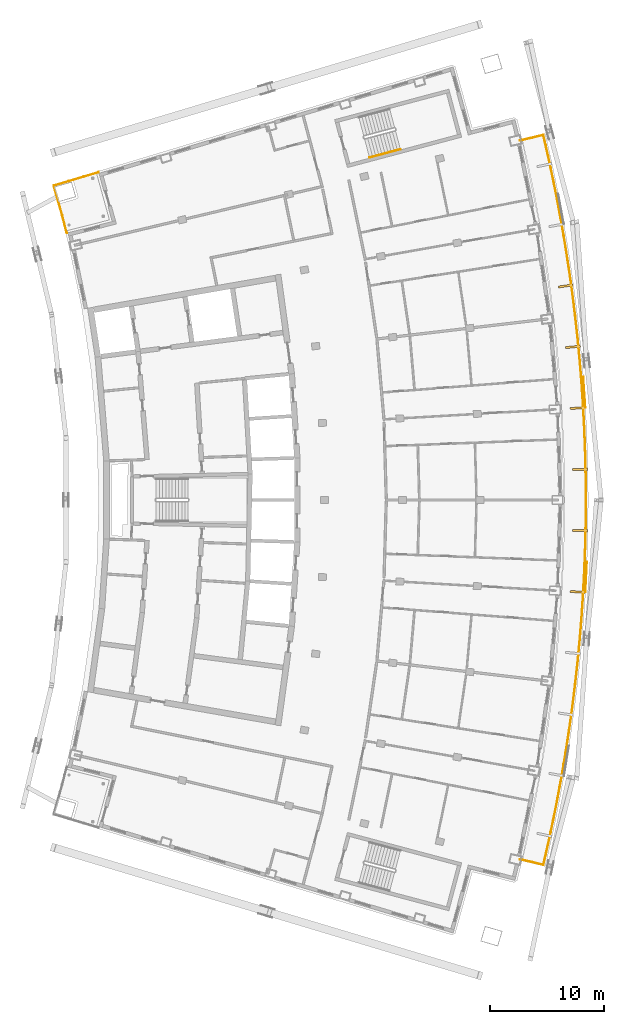
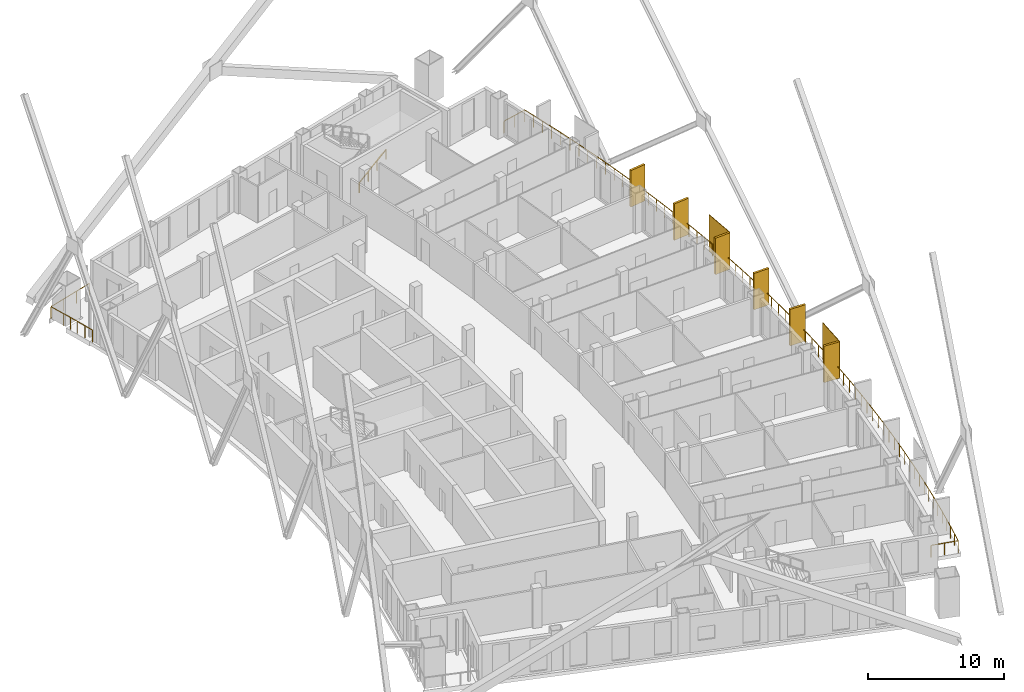
# One storey, part 20 of 21: 8 shading devices, 3 railings.
"""IFC4 building model written with IfcOpenShell, lengths in metres."""

from ifc_helpers import new_model, si_unit, direction, frame, origin, origin_2d, place, context, subcontext, project, spatial, rectangle, extrude, material, layer, layer_set, type_object, element, save


model = new_model("IFC4")

# Units and contexts
model_context = context("Model", 3, precision=1e-05, world=origin(), true_north=direction((0.0, 1.0)))
body_context = subcontext(model_context, "Body", "Model", "MODEL_VIEW")
ifc_project = project(units=[si_unit("LENGTHUNIT", "METRE"), si_unit("AREAUNIT", "SQUARE_METRE"), si_unit("VOLUMEUNIT", "CUBIC_METRE"), si_unit("PLANEANGLEUNIT", "RADIAN"), si_unit("MASSUNIT", "GRAM", prefix="KILO")], contexts=[model_context])

# Site, building, storey
site_placement = place(None, origin())
site = spatial("IfcSite", under=ifc_project, at=site_placement, CompositionType="ELEMENT")
building_placement = place(site_placement, origin())
building = spatial("IfcBuilding", under=site, at=building_placement, Name="Alderwake Tower", CompositionType="ELEMENT")
storey_placement = place(building_placement, frame((0.0, 0.0, 267.199951171875)))
storey = spatial("IfcBuildingStorey", under=building, at=storey_placement, Name="L66", CompositionType="ELEMENT", Elevation=267.199951171875)

# Railings
ifc_material_1 = material(Name="Stainless steel 316 rail and posts", Category="steel")
railing_type_1 = type_object("IfcRailingType", Name="Balcony guard 1100", PredefinedType="GUARDRAIL", material=ifc_material_1)
railing_1_placement = place(storey_placement, frame((52.9208984375, 29.510986328125, 0.0)))
element("IfcRailing", 1, at=railing_1_placement, inside=storey, type_object=railing_type_1, Name="Guard BF03", PredefinedType="GUARDRAIL", context=body_context, shape_type="SweptSolid", body=[
    extrude(rectangle(XDim=0.048095703125, YDim=0.048095703125, at=origin_2d()), frame((0.0, 0.0, 1.076171875), z_axis=(0.973069996158, -0.230509831846, 0.0), x_axis=(0.230509831846, 0.973069996158, 0.0)), (0.0, 0.0, 1.0), 2.100341796875),
    extrude(rectangle(XDim=0.048095703125, YDim=0.048095703125, at=origin_2d()), frame((2.043701171875, -0.484130859375, 1.076171875), z_axis=(0.223728003456, 0.974651620052, 0.0), x_axis=(-0.974651620052, 0.223728003456, 0.0)), (0.0, 0.0, 1.0), 1.9228515625),
    extrude(rectangle(XDim=0.048095703125, YDim=0.048095703125, at=origin_2d()), frame((2.473876953125, 1.389892578125, 1.076171875), z_axis=(0.209792875229, 0.977745851182, 0.0), x_axis=(-0.977745851182, 0.209792875229, 0.0)), (0.0, 0.0, 1.0), 2.0224609375),
    extrude(rectangle(XDim=0.048095703125, YDim=0.048095703125, at=origin_2d()), frame((2.898193359375, 3.367431640625, 1.076171875), z_axis=(0.195651889061, 0.980673410625, 0.0), x_axis=(-0.980673410625, 0.195651889061, 0.0)), (0.0, 0.0, 1.0), 2.022705078125),
    extrude(rectangle(XDim=0.048095703125, YDim=0.048095703125, at=origin_2d()), frame((3.2939453125, 5.35107421875, 1.076171875), z_axis=(0.181285306719, 0.983430545371, 0.0), x_axis=(-0.983430545371, 0.181285306719, 0.0)), (0.0, 0.0, 1.0), 2.022705078125),
    extrude(rectangle(XDim=0.048095703125, YDim=0.048095703125, at=origin_2d()), frame((3.66064453125, 7.34033203125, 1.076171875), z_axis=(0.166943156218, 0.985966522044, 0.0), x_axis=(-0.985966522044, 0.166943156218, 0.0)), (0.0, 0.0, 1.0), 2.0224609375),
    extrude(rectangle(XDim=0.048095703125, YDim=0.048095703125, at=origin_2d()), frame((3.998291015625, 9.33447265625, 1.076171875), z_axis=(0.152565081877, 0.988293425958, 0.0), x_axis=(-0.988293425958, 0.152565081877, 0.0)), (0.0, 0.0, 1.0), 2.022705078125),
    extrude(rectangle(XDim=0.048095703125, YDim=0.048095703125, at=origin_2d()), frame((4.306884765625, 11.33349609375, 1.076171875), z_axis=(0.138074887842, 0.990421791636, 0.0), x_axis=(-0.990421791636, 0.138074887842, 0.0)), (0.0, 0.0, 1.0), 2.022705078125),
    extrude(rectangle(XDim=0.048095703125, YDim=0.048095703125, at=origin_2d()), frame((4.586181640625, 13.3369140625, 1.076171875), z_axis=(0.123603892024, 0.992331637043, 0.0), x_axis=(-0.992331637043, 0.123603892024, 0.0)), (0.0, 0.0, 1.0), 2.022705078125),
    extrude(rectangle(XDim=0.048095703125, YDim=0.048095703125, at=origin_2d()), frame((4.836181640625, 15.343994140625, 1.076171875), z_axis=(0.109119836799, 0.99402860181, 0.0), x_axis=(-0.99402860181, 0.109119836799, 0.0)), (0.0, 0.0, 1.0), 2.0224609375),
    extrude(rectangle(XDim=0.048095703125, YDim=0.048095703125, at=origin_2d()), frame((5.056884765625, 17.3544921875, 1.076171875), z_axis=(0.094746438959, 0.995501437621, 0.0), x_axis=(-0.995501437621, 0.094746438959, 0.0)), (0.0, 0.0, 1.0), 2.022705078125),
    extrude(rectangle(XDim=0.048095703125, YDim=0.048095703125, at=origin_2d()), frame((5.24853515625, 19.3681640625, 1.076171875), z_axis=(0.080018646594, 0.996793366851, 0.0), x_axis=(-0.996793366851, 0.080018646594, 0.0)), (0.0, 0.0, 1.0), 2.02294921875),
    extrude(rectangle(XDim=0.048095703125, YDim=0.048095703125, at=origin_2d()), frame((5.410400390625, 21.384521484375, 1.076171875), z_axis=(0.065661789431, 0.997841936084, 0.0), x_axis=(-0.997841936084, 0.065661789431, 0.0)), (0.0, 0.0, 1.0), 2.022705078125),
    extrude(rectangle(XDim=0.048095703125, YDim=0.048095703125, at=origin_2d()), frame((5.543212890625, 23.40283203125, 1.076171875), z_axis=(0.051057323107, 0.998695724311, 0.0), x_axis=(-0.998695724311, 0.051057323107, 0.0)), (0.0, 0.0, 1.0), 2.022705078125),
    extrude(rectangle(XDim=0.048095703125, YDim=0.048095703125, at=origin_2d()), frame((5.646484375, 25.4228515625, 1.076171875), z_axis=(0.036453590384, 0.999335346992, 0.0), x_axis=(-0.999335346992, 0.036453590384, 0.0)), (0.0, 0.0, 1.0), 2.022705078125),
    extrude(rectangle(XDim=0.048095703125, YDim=0.048095703125, at=origin_2d()), frame((5.72021484375, 27.444091796875, 1.076171875), z_axis=(0.0218467706, 0.999761330826, 0.0), x_axis=(-0.999761330826, 0.0218467706, 0.0)), (0.0, 0.0, 1.0), 2.022705078125),
    extrude(rectangle(XDim=0.048095703125, YDim=0.048095703125, at=origin_2d()), frame((5.764404296875, 29.46630859375, 1.076171875), z_axis=(0.007241813719, 0.999973777723, 0.0), x_axis=(-0.999973777723, 0.007241813719, 0.0)), (0.0, 0.0, 1.0), 2.022705078125),
    extrude(rectangle(XDim=0.048095703125, YDim=0.048095703125, at=origin_2d()), frame((5.779052734375, 31.489013671875, 1.076171875), z_axis=(-0.007241813719, 0.999973777723, 0.0), x_axis=(-0.999973777723, -0.007241813719, 0.0)), (0.0, 0.0, 1.0), 2.022705078125),
    extrude(rectangle(XDim=0.048095703125, YDim=0.048095703125, at=origin_2d()), frame((5.764404296875, 33.51171875, 1.076171875), z_axis=(-0.0218467706, 0.999761330826, 0.0), x_axis=(-0.999761330826, -0.0218467706, 0.0)), (0.0, 0.0, 1.0), 2.022705078125),
    extrude(rectangle(XDim=0.048095703125, YDim=0.048095703125, at=origin_2d()), frame((5.72021484375, 35.533935546875, 1.076171875), z_axis=(-0.036453590384, 0.999335346992, 0.0), x_axis=(-0.999335346992, -0.036453590384, 0.0)), (0.0, 0.0, 1.0), 2.022705078125),
    extrude(rectangle(XDim=0.048095703125, YDim=0.048095703125, at=origin_2d()), frame((5.646484375, 37.55517578125, 1.076171875), z_axis=(-0.051057323107, 0.998695724311, 0.0), x_axis=(-0.998695724311, -0.051057323107, 0.0)), (0.0, 0.0, 1.0), 2.022705078125),
    extrude(rectangle(XDim=0.048095703125, YDim=0.048095703125, at=origin_2d()), frame((5.543212890625, 39.5751953125, 1.076171875), z_axis=(-0.065661789431, 0.997841936084, 0.0), x_axis=(-0.997841936084, -0.065661789431, 0.0)), (0.0, 0.0, 1.0), 2.022705078125),
    extrude(rectangle(XDim=0.048095703125, YDim=0.048095703125, at=origin_2d()), frame((5.410400390625, 41.593505859375, 1.076171875), z_axis=(-0.080018646594, 0.996793366851, 0.0), x_axis=(-0.996793366851, -0.080018646594, 0.0)), (0.0, 0.0, 1.0), 2.02294921875),
    extrude(rectangle(XDim=0.048095703125, YDim=0.048095703125, at=origin_2d()), frame((5.24853515625, 43.60986328125, 1.076171875), z_axis=(-0.094746438959, 0.995501437621, 0.0), x_axis=(-0.995501437621, -0.094746438959, 0.0)), (0.0, 0.0, 1.0), 2.022705078125),
    extrude(rectangle(XDim=0.048095703125, YDim=0.048095703125, at=origin_2d()), frame((5.056884765625, 45.62353515625, 1.076171875), z_axis=(-0.109119836799, 0.99402860181, 0.0), x_axis=(-0.99402860181, -0.109119836799, 0.0)), (0.0, 0.0, 1.0), 2.0224609375),
    extrude(rectangle(XDim=0.048095703125, YDim=0.048095703125, at=origin_2d()), frame((4.836181640625, 47.634033203125, 1.076171875), z_axis=(-0.123603892024, 0.992331637043, 0.0), x_axis=(-0.992331637043, -0.123603892024, 0.0)), (0.0, 0.0, 1.0), 2.022705078125),
    extrude(rectangle(XDim=0.048095703125, YDim=0.048095703125, at=origin_2d()), frame((4.586181640625, 49.64111328125, 1.076171875), z_axis=(-0.138074887842, 0.990421791636, 0.0), x_axis=(-0.990421791636, -0.138074887842, 0.0)), (0.0, 0.0, 1.0), 2.022705078125),
    extrude(rectangle(XDim=0.048095703125, YDim=0.048095703125, at=origin_2d()), frame((4.306884765625, 51.64453125, 1.076171875), z_axis=(-0.152565081877, 0.988293425958, 0.0), x_axis=(-0.988293425958, -0.152565081877, 0.0)), (0.0, 0.0, 1.0), 2.022705078125),
    extrude(rectangle(XDim=0.048095703125, YDim=0.048095703125, at=origin_2d()), frame((3.998291015625, 53.6435546875, 1.076171875), z_axis=(-0.166943156218, 0.985966522044, 0.0), x_axis=(-0.985966522044, -0.166943156218, 0.0)), (0.0, 0.0, 1.0), 2.0224609375),
    extrude(rectangle(XDim=0.048095703125, YDim=0.048095703125, at=origin_2d()), frame((3.66064453125, 55.6376953125, 1.076171875), z_axis=(-0.181285306719, 0.983430545371, 0.0), x_axis=(-0.983430545371, -0.181285306719, 0.0)), (0.0, 0.0, 1.0), 2.022705078125),
    extrude(rectangle(XDim=0.048095703125, YDim=0.048095703125, at=origin_2d()), frame((3.2939453125, 57.626953125, 1.076171875), z_axis=(-0.195651889061, 0.980673410625, 0.0), x_axis=(-0.980673410625, -0.195651889061, 0.0)), (0.0, 0.0, 1.0), 2.022705078125),
    extrude(rectangle(XDim=0.048095703125, YDim=0.048095703125, at=origin_2d()), frame((2.898193359375, 59.610595703125, 1.076171875), z_axis=(-0.209792875229, 0.977745851182, 0.0), x_axis=(-0.977745851182, -0.209792875229, 0.0)), (0.0, 0.0, 1.0), 2.0224609375),
    extrude(rectangle(XDim=0.048095703125, YDim=0.048095703125, at=origin_2d()), frame((2.473876953125, 61.588134765625, 1.076171875), z_axis=(-0.223728003456, 0.974651620052, 0.0), x_axis=(-0.974651620052, -0.223728003456, 0.0)), (0.0, 0.0, 1.0), 1.9228515625),
    extrude(rectangle(XDim=0.048095703125, YDim=0.048095703125, at=origin_2d()), frame((2.043701171875, 63.462158203125, 1.076171875), z_axis=(-0.973069996158, -0.230509831846, 0.0), x_axis=(0.230509831846, -0.973069996158, 0.0)), (0.0, 0.0, 1.0), 2.100341796875),
    extrude(rectangle(XDim=0.0419921875, YDim=0.0419921875, at=origin_2d()), frame((0.0, 0.0, 0.0), z_axis=(0.0, 0.0, 1.0), x_axis=(0.973069996158, -0.230509831846, 0.0)), (0.0, 0.0, 1.0), 1.052001953125),
    extrude(rectangle(XDim=0.0419921875, YDim=0.0419921875, at=origin_2d()), frame((1.02197265625, -0.2421875, 0.0), z_axis=(0.0, 0.0, 1.0), x_axis=(0.973069996158, -0.230509831846, 0.0)), (0.0, 0.0, 1.0), 1.052001953125),
    extrude(rectangle(XDim=0.0419921875, YDim=0.0419921875, at=origin_2d()), frame((2.043701171875, -0.484130859375, 0.0), z_axis=(0.0, 0.0, 1.0), x_axis=(0.223728003456, 0.974651620052, 0.0)), (0.0, 0.0, 1.0), 1.052001953125),
    extrude(rectangle(XDim=0.0419921875, YDim=0.0419921875, at=origin_2d()), frame((2.2587890625, 0.452880859375, 0.0), z_axis=(0.0, 0.0, 1.0), x_axis=(0.223728003456, 0.974651620052, 0.0)), (0.0, 0.0, 1.0), 1.052001953125),
    extrude(rectangle(XDim=0.0419921875, YDim=0.0419921875, at=origin_2d()), frame((2.473876953125, 1.389892578125, 0.0), z_axis=(0.0, 0.0, 1.0), x_axis=(0.209792875229, 0.977745851182, 0.0)), (0.0, 0.0, 1.0), 1.052001953125),
    extrude(rectangle(XDim=0.0419921875, YDim=0.0419921875, at=origin_2d()), frame((2.68603515625, 2.378662109375, 0.0), z_axis=(0.0, 0.0, 1.0), x_axis=(0.209792875229, 0.977745851182, 0.0)), (0.0, 0.0, 1.0), 1.052001953125),
    extrude(rectangle(XDim=0.0419921875, YDim=0.0419921875, at=origin_2d()), frame((2.898193359375, 3.367431640625, 0.0), z_axis=(0.0, 0.0, 1.0), x_axis=(0.195651889061, 0.980673410625, 0.0)), (0.0, 0.0, 1.0), 1.052001953125),
    extrude(rectangle(XDim=0.0419921875, YDim=0.0419921875, at=origin_2d()), frame((3.09619140625, 4.359375, 0.0), z_axis=(0.0, 0.0, 1.0), x_axis=(0.195651889061, 0.980673410625, 0.0)), (0.0, 0.0, 1.0), 1.052001953125),
    extrude(rectangle(XDim=0.0419921875, YDim=0.0419921875, at=origin_2d()), frame((3.2939453125, 5.35107421875, 0.0), z_axis=(0.0, 0.0, 1.0), x_axis=(0.181285306719, 0.983430545371, 0.0)), (0.0, 0.0, 1.0), 1.052001953125),
    extrude(rectangle(XDim=0.0419921875, YDim=0.0419921875, at=origin_2d()), frame((3.477294921875, 6.345703125, 0.0), z_axis=(0.0, 0.0, 1.0), x_axis=(0.181285306719, 0.983430545371, 0.0)), (0.0, 0.0, 1.0), 1.052001953125),
    extrude(rectangle(XDim=0.0419921875, YDim=0.0419921875, at=origin_2d()), frame((3.66064453125, 7.34033203125, 0.0), z_axis=(0.0, 0.0, 1.0), x_axis=(0.166943156218, 0.985966522044, 0.0)), (0.0, 0.0, 1.0), 1.052001953125),
    extrude(rectangle(XDim=0.0419921875, YDim=0.0419921875, at=origin_2d()), frame((3.82958984375, 8.33740234375, 0.0), z_axis=(0.0, 0.0, 1.0), x_axis=(0.166943156218, 0.985966522044, 0.0)), (0.0, 0.0, 1.0), 1.052001953125),
    extrude(rectangle(XDim=0.0419921875, YDim=0.0419921875, at=origin_2d()), frame((3.998291015625, 9.33447265625, 0.0), z_axis=(0.0, 0.0, 1.0), x_axis=(0.152565081877, 0.988293425958, 0.0)), (0.0, 0.0, 1.0), 1.052001953125),
    extrude(rectangle(XDim=0.0419921875, YDim=0.0419921875, at=origin_2d()), frame((4.152587890625, 10.333984375, 0.0), z_axis=(0.0, 0.0, 1.0), x_axis=(0.152565081877, 0.988293425958, 0.0)), (0.0, 0.0, 1.0), 1.052001953125),
    extrude(rectangle(XDim=0.0419921875, YDim=0.0419921875, at=origin_2d()), frame((4.306884765625, 11.33349609375, 0.0), z_axis=(0.0, 0.0, 1.0), x_axis=(0.138074887842, 0.990421791636, 0.0)), (0.0, 0.0, 1.0), 1.052001953125),
    extrude(rectangle(XDim=0.0419921875, YDim=0.0419921875, at=origin_2d()), frame((4.446533203125, 12.335205078125, 0.0), z_axis=(0.0, 0.0, 1.0), x_axis=(0.138074887842, 0.990421791636, 0.0)), (0.0, 0.0, 1.0), 1.052001953125),
    extrude(rectangle(XDim=0.0419921875, YDim=0.0419921875, at=origin_2d()), frame((4.586181640625, 13.3369140625, 0.0), z_axis=(0.0, 0.0, 1.0), x_axis=(0.123603892024, 0.992331637043, 0.0)), (0.0, 0.0, 1.0), 1.052001953125),
    extrude(rectangle(XDim=0.0419921875, YDim=0.0419921875, at=origin_2d()), frame((4.711181640625, 14.34033203125, 0.0), z_axis=(0.0, 0.0, 1.0), x_axis=(0.123603892024, 0.992331637043, 0.0)), (0.0, 0.0, 1.0), 1.052001953125),
    extrude(rectangle(XDim=0.0419921875, YDim=0.0419921875, at=origin_2d()), frame((4.836181640625, 15.343994140625, 0.0), z_axis=(0.0, 0.0, 1.0), x_axis=(0.109119836799, 0.99402860181, 0.0)), (0.0, 0.0, 1.0), 1.052001953125),
    extrude(rectangle(XDim=0.0419921875, YDim=0.0419921875, at=origin_2d()), frame((4.946533203125, 16.34912109375, 0.0), z_axis=(0.0, 0.0, 1.0), x_axis=(0.109119836799, 0.99402860181, 0.0)), (0.0, 0.0, 1.0), 1.052001953125),
    extrude(rectangle(XDim=0.0419921875, YDim=0.0419921875, at=origin_2d()), frame((5.056884765625, 17.3544921875, 0.0), z_axis=(0.0, 0.0, 1.0), x_axis=(0.094746438959, 0.995501437621, 0.0)), (0.0, 0.0, 1.0), 1.052001953125),
    extrude(rectangle(XDim=0.0419921875, YDim=0.0419921875, at=origin_2d()), frame((5.15283203125, 18.361328125, 0.0), z_axis=(0.0, 0.0, 1.0), x_axis=(0.094746438959, 0.995501437621, 0.0)), (0.0, 0.0, 1.0), 1.052001953125),
    extrude(rectangle(XDim=0.0419921875, YDim=0.0419921875, at=origin_2d()), frame((5.24853515625, 19.3681640625, 0.0), z_axis=(0.0, 0.0, 1.0), x_axis=(0.080018646594, 0.996793366851, 0.0)), (0.0, 0.0, 1.0), 1.052001953125),
    extrude(rectangle(XDim=0.0419921875, YDim=0.0419921875, at=origin_2d()), frame((5.32958984375, 20.37646484375, 0.0), z_axis=(0.0, 0.0, 1.0), x_axis=(0.080018646594, 0.996793366851, 0.0)), (0.0, 0.0, 1.0), 1.052001953125),
    extrude(rectangle(XDim=0.0419921875, YDim=0.0419921875, at=origin_2d()), frame((5.410400390625, 21.384521484375, 0.0), z_axis=(0.0, 0.0, 1.0), x_axis=(0.065661789431, 0.997841936084, 0.0)), (0.0, 0.0, 1.0), 1.052001953125),
    extrude(rectangle(XDim=0.0419921875, YDim=0.0419921875, at=origin_2d()), frame((5.476806640625, 22.3935546875, 0.0), z_axis=(0.0, 0.0, 1.0), x_axis=(0.065661789431, 0.997841936084, 0.0)), (0.0, 0.0, 1.0), 1.052001953125),
    extrude(rectangle(XDim=0.0419921875, YDim=0.0419921875, at=origin_2d()), frame((5.543212890625, 23.40283203125, 0.0), z_axis=(0.0, 0.0, 1.0), x_axis=(0.051057323107, 0.998695724311, 0.0)), (0.0, 0.0, 1.0), 1.052001953125),
    extrude(rectangle(XDim=0.0419921875, YDim=0.0419921875, at=origin_2d()), frame((5.5947265625, 24.412841796875, 0.0), z_axis=(0.0, 0.0, 1.0), x_axis=(0.051057323107, 0.998695724311, 0.0)), (0.0, 0.0, 1.0), 1.052001953125),
    extrude(rectangle(XDim=0.0419921875, YDim=0.0419921875, at=origin_2d()), frame((5.646484375, 25.4228515625, 0.0), z_axis=(0.0, 0.0, 1.0), x_axis=(0.036453590384, 0.999335346992, 0.0)), (0.0, 0.0, 1.0), 1.052001953125),
    extrude(rectangle(XDim=0.0419921875, YDim=0.0419921875, at=origin_2d()), frame((5.683349609375, 26.43359375, 0.0), z_axis=(0.0, 0.0, 1.0), x_axis=(0.036453590384, 0.999335346992, 0.0)), (0.0, 0.0, 1.0), 1.052001953125),
    extrude(rectangle(XDim=0.0419921875, YDim=0.0419921875, at=origin_2d()), frame((5.72021484375, 27.444091796875, 0.0), z_axis=(0.0, 0.0, 1.0), x_axis=(0.0218467706, 0.999761330826, 0.0)), (0.0, 0.0, 1.0), 1.052001953125),
    extrude(rectangle(XDim=0.0419921875, YDim=0.0419921875, at=origin_2d()), frame((5.7421875, 28.455078125, 0.0), z_axis=(0.0, 0.0, 1.0), x_axis=(0.0218467706, 0.999761330826, 0.0)), (0.0, 0.0, 1.0), 1.052001953125),
    extrude(rectangle(XDim=0.0419921875, YDim=0.0419921875, at=origin_2d()), frame((5.764404296875, 29.46630859375, 0.0), z_axis=(0.0, 0.0, 1.0), x_axis=(0.007241813719, 0.999973777723, 0.0)), (0.0, 0.0, 1.0), 1.052001953125),
    extrude(rectangle(XDim=0.0419921875, YDim=0.0419921875, at=origin_2d()), frame((5.771728515625, 30.4775390625, 0.0), z_axis=(0.0, 0.0, 1.0), x_axis=(0.007241813719, 0.999973777723, 0.0)), (0.0, 0.0, 1.0), 1.052001953125),
    extrude(rectangle(XDim=0.0419921875, YDim=0.0419921875, at=origin_2d()), frame((5.779052734375, 31.489013671875, 0.0), z_axis=(0.0, 0.0, 1.0), x_axis=(-0.007241813719, 0.999973777723, 0.0)), (0.0, 0.0, 1.0), 1.052001953125),
    extrude(rectangle(XDim=0.0419921875, YDim=0.0419921875, at=origin_2d()), frame((5.771728515625, 32.50048828125, 0.0), z_axis=(0.0, 0.0, 1.0), x_axis=(-0.007241813719, 0.999973777723, 0.0)), (0.0, 0.0, 1.0), 1.052001953125),
    extrude(rectangle(XDim=0.0419921875, YDim=0.0419921875, at=origin_2d()), frame((5.764404296875, 33.51171875, 0.0), z_axis=(0.0, 0.0, 1.0), x_axis=(-0.0218467706, 0.999761330826, 0.0)), (0.0, 0.0, 1.0), 1.052001953125),
    extrude(rectangle(XDim=0.0419921875, YDim=0.0419921875, at=origin_2d()), frame((5.7421875, 34.52294921875, 0.0), z_axis=(0.0, 0.0, 1.0), x_axis=(-0.0218467706, 0.999761330826, 0.0)), (0.0, 0.0, 1.0), 1.052001953125),
    extrude(rectangle(XDim=0.0419921875, YDim=0.0419921875, at=origin_2d()), frame((5.72021484375, 35.533935546875, 0.0), z_axis=(0.0, 0.0, 1.0), x_axis=(-0.036453590384, 0.999335346992, 0.0)), (0.0, 0.0, 1.0), 1.052001953125),
    extrude(rectangle(XDim=0.0419921875, YDim=0.0419921875, at=origin_2d()), frame((5.683349609375, 36.54443359375, 0.0), z_axis=(0.0, 0.0, 1.0), x_axis=(-0.036453590384, 0.999335346992, 0.0)), (0.0, 0.0, 1.0), 1.052001953125),
    extrude(rectangle(XDim=0.0419921875, YDim=0.0419921875, at=origin_2d()), frame((5.646484375, 37.55517578125, 0.0), z_axis=(0.0, 0.0, 1.0), x_axis=(-0.051057323107, 0.998695724311, 0.0)), (0.0, 0.0, 1.0), 1.052001953125),
    extrude(rectangle(XDim=0.0419921875, YDim=0.0419921875, at=origin_2d()), frame((5.5947265625, 38.565185546875, 0.0), z_axis=(0.0, 0.0, 1.0), x_axis=(-0.051057323107, 0.998695724311, 0.0)), (0.0, 0.0, 1.0), 1.052001953125),
    extrude(rectangle(XDim=0.0419921875, YDim=0.0419921875, at=origin_2d()), frame((5.543212890625, 39.5751953125, 0.0), z_axis=(0.0, 0.0, 1.0), x_axis=(-0.065661789431, 0.997841936084, 0.0)), (0.0, 0.0, 1.0), 1.052001953125),
    extrude(rectangle(XDim=0.0419921875, YDim=0.0419921875, at=origin_2d()), frame((5.476806640625, 40.58447265625, 0.0), z_axis=(0.0, 0.0, 1.0), x_axis=(-0.065661789431, 0.997841936084, 0.0)), (0.0, 0.0, 1.0), 1.052001953125),
    extrude(rectangle(XDim=0.0419921875, YDim=0.0419921875, at=origin_2d()), frame((5.410400390625, 41.593505859375, 0.0), z_axis=(0.0, 0.0, 1.0), x_axis=(-0.080018646594, 0.996793366851, 0.0)), (0.0, 0.0, 1.0), 1.052001953125),
    extrude(rectangle(XDim=0.0419921875, YDim=0.0419921875, at=origin_2d()), frame((5.32958984375, 42.6015625, 0.0), z_axis=(0.0, 0.0, 1.0), x_axis=(-0.080018646594, 0.996793366851, 0.0)), (0.0, 0.0, 1.0), 1.052001953125),
    extrude(rectangle(XDim=0.0419921875, YDim=0.0419921875, at=origin_2d()), frame((5.24853515625, 43.60986328125, 0.0), z_axis=(0.0, 0.0, 1.0), x_axis=(-0.094746438959, 0.995501437621, 0.0)), (0.0, 0.0, 1.0), 1.052001953125),
    extrude(rectangle(XDim=0.0419921875, YDim=0.0419921875, at=origin_2d()), frame((5.15283203125, 44.61669921875, 0.0), z_axis=(0.0, 0.0, 1.0), x_axis=(-0.094746438959, 0.995501437621, 0.0)), (0.0, 0.0, 1.0), 1.052001953125),
    extrude(rectangle(XDim=0.0419921875, YDim=0.0419921875, at=origin_2d()), frame((5.056884765625, 45.62353515625, 0.0), z_axis=(0.0, 0.0, 1.0), x_axis=(-0.109119836799, 0.99402860181, 0.0)), (0.0, 0.0, 1.0), 1.052001953125),
    extrude(rectangle(XDim=0.0419921875, YDim=0.0419921875, at=origin_2d()), frame((4.946533203125, 46.62890625, 0.0), z_axis=(0.0, 0.0, 1.0), x_axis=(-0.109119836799, 0.99402860181, 0.0)), (0.0, 0.0, 1.0), 1.052001953125),
    extrude(rectangle(XDim=0.0419921875, YDim=0.0419921875, at=origin_2d()), frame((4.836181640625, 47.634033203125, 0.0), z_axis=(0.0, 0.0, 1.0), x_axis=(-0.123603892024, 0.992331637043, 0.0)), (0.0, 0.0, 1.0), 1.052001953125),
    extrude(rectangle(XDim=0.0419921875, YDim=0.0419921875, at=origin_2d()), frame((4.711181640625, 48.6376953125, 0.0), z_axis=(0.0, 0.0, 1.0), x_axis=(-0.123603892024, 0.992331637043, 0.0)), (0.0, 0.0, 1.0), 1.052001953125),
    extrude(rectangle(XDim=0.0419921875, YDim=0.0419921875, at=origin_2d()), frame((4.586181640625, 49.64111328125, 0.0), z_axis=(0.0, 0.0, 1.0), x_axis=(-0.138074887842, 0.990421791636, 0.0)), (0.0, 0.0, 1.0), 1.052001953125),
    extrude(rectangle(XDim=0.0419921875, YDim=0.0419921875, at=origin_2d()), frame((4.446533203125, 50.642822265625, 0.0), z_axis=(0.0, 0.0, 1.0), x_axis=(-0.138074887842, 0.990421791636, 0.0)), (0.0, 0.0, 1.0), 1.052001953125),
    extrude(rectangle(XDim=0.0419921875, YDim=0.0419921875, at=origin_2d()), frame((4.306884765625, 51.64453125, 0.0), z_axis=(0.0, 0.0, 1.0), x_axis=(-0.152565081877, 0.988293425958, 0.0)), (0.0, 0.0, 1.0), 1.052001953125),
    extrude(rectangle(XDim=0.0419921875, YDim=0.0419921875, at=origin_2d()), frame((4.152587890625, 52.64404296875, 0.0), z_axis=(0.0, 0.0, 1.0), x_axis=(-0.152565081877, 0.988293425958, 0.0)), (0.0, 0.0, 1.0), 1.052001953125),
    extrude(rectangle(XDim=0.0419921875, YDim=0.0419921875, at=origin_2d()), frame((3.998291015625, 53.6435546875, 0.0), z_axis=(0.0, 0.0, 1.0), x_axis=(-0.166943156218, 0.985966522044, 0.0)), (0.0, 0.0, 1.0), 1.052001953125),
    extrude(rectangle(XDim=0.0419921875, YDim=0.0419921875, at=origin_2d()), frame((3.82958984375, 54.640625, 0.0), z_axis=(0.0, 0.0, 1.0), x_axis=(-0.166943156218, 0.985966522044, 0.0)), (0.0, 0.0, 1.0), 1.052001953125),
    extrude(rectangle(XDim=0.0419921875, YDim=0.0419921875, at=origin_2d()), frame((3.66064453125, 55.6376953125, 0.0), z_axis=(0.0, 0.0, 1.0), x_axis=(-0.181285306719, 0.983430545371, 0.0)), (0.0, 0.0, 1.0), 1.052001953125),
    extrude(rectangle(XDim=0.0419921875, YDim=0.0419921875, at=origin_2d()), frame((3.477294921875, 56.63232421875, 0.0), z_axis=(0.0, 0.0, 1.0), x_axis=(-0.181285306719, 0.983430545371, 0.0)), (0.0, 0.0, 1.0), 1.052001953125),
    extrude(rectangle(XDim=0.0419921875, YDim=0.0419921875, at=origin_2d()), frame((3.2939453125, 57.626953125, 0.0), z_axis=(0.0, 0.0, 1.0), x_axis=(-0.195651889061, 0.980673410625, 0.0)), (0.0, 0.0, 1.0), 1.052001953125),
    extrude(rectangle(XDim=0.0419921875, YDim=0.0419921875, at=origin_2d()), frame((3.09619140625, 58.61865234375, 0.0), z_axis=(0.0, 0.0, 1.0), x_axis=(-0.195651889061, 0.980673410625, 0.0)), (0.0, 0.0, 1.0), 1.052001953125),
    extrude(rectangle(XDim=0.0419921875, YDim=0.0419921875, at=origin_2d()), frame((2.898193359375, 59.610595703125, 0.0), z_axis=(0.0, 0.0, 1.0), x_axis=(-0.209792875229, 0.977745851182, 0.0)), (0.0, 0.0, 1.0), 1.052001953125),
    extrude(rectangle(XDim=0.0419921875, YDim=0.0419921875, at=origin_2d()), frame((2.68603515625, 60.599365234375, 0.0), z_axis=(0.0, 0.0, 1.0), x_axis=(-0.209792875229, 0.977745851182, 0.0)), (0.0, 0.0, 1.0), 1.052001953125),
    extrude(rectangle(XDim=0.0419921875, YDim=0.0419921875, at=origin_2d()), frame((2.473876953125, 61.588134765625, 0.0), z_axis=(0.0, 0.0, 1.0), x_axis=(-0.223728003456, 0.974651620052, 0.0)), (0.0, 0.0, 1.0), 1.052001953125),
    extrude(rectangle(XDim=0.0419921875, YDim=0.0419921875, at=origin_2d()), frame((2.2587890625, 62.525146484375, 0.0), z_axis=(0.0, 0.0, 1.0), x_axis=(-0.223728003456, 0.974651620052, 0.0)), (0.0, 0.0, 1.0), 1.052001953125),
    extrude(rectangle(XDim=0.0419921875, YDim=0.0419921875, at=origin_2d()), frame((2.043701171875, 63.462158203125, 0.0), z_axis=(0.0, 0.0, 1.0), x_axis=(-0.973069996158, -0.230509831846, 0.0)), (0.0, 0.0, 1.0), 1.052001953125),
    extrude(rectangle(XDim=0.0419921875, YDim=0.0419921875, at=origin_2d()), frame((1.02197265625, 63.22021484375, 0.0), z_axis=(0.0, 0.0, 1.0), x_axis=(-0.973069996158, -0.230509831846, 0.0)), (0.0, 0.0, 1.0), 1.052001953125),
    extrude(rectangle(XDim=0.0419921875, YDim=0.0419921875, at=origin_2d()), frame((0.0, 62.97802734375, 0.0), z_axis=(0.0, 0.0, 1.0), x_axis=(-0.973069996158, -0.230509831846, 0.0)), (0.0, 0.0, 1.0), 1.052001953125),
])
railing_2_placement = place(storey_placement, frame((13.210693359375, 84.387451171875, 0.0)))
element("IfcRailing", 2, at=railing_2_placement, inside=storey, type_object=railing_type_1, Name="Guard terrace RN", PredefinedType="GUARDRAIL", context=body_context, shape_type="SweptSolid", body=[
    extrude(rectangle(XDim=0.048095703125, YDim=0.048095703125, at=origin_2d()), frame((0.0, 0.0, 1.076171875), z_axis=(-0.251385381433, 0.967887075026, 0.0), x_axis=(-0.967887075026, -0.251385381433, 0.0)), (0.0, 0.0, 1.0), 1.6015625),
    extrude(rectangle(XDim=0.048095703125, YDim=0.048095703125, at=origin_2d()), frame((-0.402587890625, 1.550048828125, 1.076171875), z_axis=(-0.266520638672, 0.963829211615, 0.0), x_axis=(-0.963829211615, -0.266520638672, 0.0)), (0.0, 0.0, 1.0), 1.401611328125),
    extrude(rectangle(XDim=0.048095703125, YDim=0.048095703125, at=origin_2d()), frame((-0.776123046875, 2.90087890625, 1.076171875), z_axis=(-0.280093650878, 0.959972680204, 0.0), x_axis=(-0.959972680204, -0.280093650878, 0.0)), (0.0, 0.0, 1.0), 1.30126953125),
    extrude(rectangle(XDim=0.048095703125, YDim=0.048095703125, at=origin_2d()), frame((-1.140625, 4.150146484375, 1.076171875), z_axis=(0.958066871889, 0.286544706789, 0.0), x_axis=(-0.286544706789, 0.958066871889, 0.0)), (0.0, 0.0, 1.0), 4.099853515625),
    extrude(rectangle(XDim=0.0419921875, YDim=0.0419921875, at=origin_2d()), frame((0.0, 0.0, 0.0), z_axis=(0.0, 0.0, 1.0), x_axis=(-0.251385381433, 0.967887075026, 0.0)), (0.0, 0.0, 1.0), 1.052001953125),
    extrude(rectangle(XDim=0.0419921875, YDim=0.0419921875, at=origin_2d()), frame((-0.201171875, 0.77490234375, 0.0), z_axis=(0.0, 0.0, 1.0), x_axis=(-0.251385381433, 0.967887075026, 0.0)), (0.0, 0.0, 1.0), 1.052001953125),
    extrude(rectangle(XDim=0.0419921875, YDim=0.0419921875, at=origin_2d()), frame((-0.402587890625, 1.550048828125, 0.0), z_axis=(0.0, 0.0, 1.0), x_axis=(-0.266520638672, 0.963829211615, 0.0)), (0.0, 0.0, 1.0), 1.052001953125),
    extrude(rectangle(XDim=0.0419921875, YDim=0.0419921875, at=origin_2d()), frame((-0.58935546875, 2.2255859375, 0.0), z_axis=(0.0, 0.0, 1.0), x_axis=(-0.266520638672, 0.963829211615, 0.0)), (0.0, 0.0, 1.0), 1.052001953125),
    extrude(rectangle(XDim=0.0419921875, YDim=0.0419921875, at=origin_2d()), frame((-0.776123046875, 2.90087890625, 0.0), z_axis=(0.0, 0.0, 1.0), x_axis=(-0.280093650878, 0.959972680204, 0.0)), (0.0, 0.0, 1.0), 1.052001953125),
    extrude(rectangle(XDim=0.0419921875, YDim=0.0419921875, at=origin_2d()), frame((-1.140625, 4.150146484375, 0.0), z_axis=(0.0, 0.0, 1.0), x_axis=(0.958066871889, 0.286544706789, 0.0)), (0.0, 0.0, 1.0), 1.052001953125),
    extrude(rectangle(XDim=0.0419921875, YDim=0.0419921875, at=origin_2d()), frame((0.168701171875, 4.541748046875, 0.0), z_axis=(0.0, 0.0, 1.0), x_axis=(0.958066871889, 0.286544706789, 0.0)), (0.0, 0.0, 1.0), 1.052001953125),
    extrude(rectangle(XDim=0.0419921875, YDim=0.0419921875, at=origin_2d()), frame((1.47802734375, 4.933349609375, 0.0), z_axis=(0.0, 0.0, 1.0), x_axis=(0.958066871889, 0.286544706789, 0.0)), (0.0, 0.0, 1.0), 1.052001953125),
    extrude(rectangle(XDim=0.0419921875, YDim=0.0419921875, at=origin_2d()), frame((2.787353515625, 5.324951171875, 0.0), z_axis=(0.0, 0.0, 1.0), x_axis=(0.958066871889, 0.286544706789, 0.0)), (0.0, 0.0, 1.0), 1.052001953125),
])

# Shading devices
ifc_material_2 = material(Name="Bronze anodised aluminium", Category="aluminium")
ifc_layer_1 = layer(ifc_material_2, 0.179931640625)
ifc_layer_set_1 = layer_set([ifc_layer_1], Name="Facade fin 1300")
shading_device_type_1 = type_object("IfcShadingDeviceType", Name="Facade fin 1300", PredefinedType="USERDEFINED", material=ifc_layer_set_1)
for number, where, z_axis, x_axis, name in (
    (3, (57.965087890625, 52.947509765625, 0.0), (0.0, 0.0, 1.0), (0.998301080988, -0.058266214038, 0.0), "Fin"),
    (4, (58.174072265625, 58.319091796875, 0.0), (0.0, 0.0, 1.0), (0.999811838809, -0.019398117887, 0.0), "Fin"),
    (5, (58.174072265625, 63.680908203125, 0.0), (0.0, 0.0, 1.0), (0.999811838809, 0.019398117887, 0.0), "Fin"),
    (6, (57.965087890625, 69.052490234375, 0.0), (0.0, 0.0, 1.0), (0.998301080988, 0.058266214038, 0.0), "Fin"),
    (7, (57.547607421875, 74.411865234375, 0.0), (0.0, 0.0, 1.0), (0.995279882363, 0.097046152751, 0.0), "Fin"),
    (8, (56.922119140625, 79.7509765625, 0.0), (0.0, 0.0, 1.0), (0.990752577235, 0.135680988728, 0.0), "Fin"),
):
    element("IfcShadingDevice", number, at=place(storey_placement, frame(where, z_axis=z_axis, x_axis=x_axis)), inside=storey, type_object=shading_device_type_1, Name=name, ObjectType="FIN", PredefinedType="USERDEFINED", context=body_context, shape_type="SweptSolid", body=[
        extrude(rectangle(XDim=1.300048828125, YDim=0.179931640625, at=origin_2d()), origin(), (0.0, 0.0, 1.0), 3.280029296875),
    ])
ifc_material_3 = material(Name="Perforated bronze anodised aluminium", Category="aluminium")
ifc_layer_2 = layer(ifc_material_3, 0.050048828125)
ifc_layer_set_2 = layer_set([ifc_layer_2], Name="Perforated screen panel")
shading_device_type_2 = type_object("IfcShadingDeviceType", Name="Perforated screen panel", PredefinedType="USERDEFINED", material=ifc_layer_set_2)
shading_device_1_placement = place(storey_placement, frame((58.70458984375, 54.253662109375, 0.0), z_axis=(0.0, 0.0, 1.0), x_axis=(0.998819231138, -0.048581308217, 0.0)))
element("IfcShadingDevice", 9, at=shading_device_1_placement, inside=storey, type_object=shading_device_type_2, Name="Screen panel", ObjectType="SCREEN", PredefinedType="USERDEFINED", context=body_context, shape_type="SweptSolid", body=[
    extrude(rectangle(XDim=0.050048828125, YDim=2.694091796875, at=origin_2d()), origin(), (0.0, 0.0, 1.0), 3.280029296875),
])
shading_device_2_placement = place(storey_placement, frame((58.547119140625, 70.442626953125, 0.0), z_axis=(0.0, 0.0, 1.0), x_axis=(0.997685465774, 0.067997877779, 0.0)))
element("IfcShadingDevice", 10, at=shading_device_2_placement, inside=storey, type_object=shading_device_type_2, Name="Screen panel", ObjectType="SCREEN", PredefinedType="USERDEFINED", context=body_context, shape_type="SweptSolid", body=[
    extrude(rectangle(XDim=0.050048828125, YDim=2.7080078125, at=origin_2d()), origin(), (0.0, 0.0, 1.0), 3.280029296875),
])

# Railing
ifc_material_4 = material(Name="Stainless steel handrail", Category="steel")
railing_type_2 = type_object("IfcRailingType", Name="Stair handrail 900", PredefinedType="HANDRAIL", material=ifc_material_4)
railing_3_placement = place(storey_placement, frame((39.731689453125, 91.002685546875, 0.16357421875)))
element("IfcRailing", 11, at=railing_3_placement, inside=storey, type_object=railing_type_2, Name="L66 ST-A stair handrail 1", PredefinedType="HANDRAIL", context=body_context, shape_type="SweptSolid", body=[
    extrude(rectangle(XDim=0.048095703125, YDim=0.048095703125, at=origin_2d()), frame((0.0, 0.0, 0.8759765625), z_axis=(0.834258940753, 0.22222815314, 0.504605457487), x_axis=(-0.257402139082, 0.966304371715, 0.0)), (0.0, 0.0, 1.0), 3.2431640625),
    extrude(rectangle(XDim=0.0419921875, YDim=0.0419921875, at=origin_2d()), frame((0.0, 0.0, 0.0), z_axis=(0.0, 0.0, 1.0), x_axis=(0.966304371715, 0.257402139082, 0.0)), (0.0, 0.0, 1.0), 0.851806640625),
    extrude(rectangle(XDim=0.0419921875, YDim=0.0419921875, at=origin_2d()), frame((0.90185546875, 0.240234375, 0.54541015625), z_axis=(0.0, 0.0, 1.0), x_axis=(0.966304371715, 0.257402139082, 0.0)), (0.0, 0.0, 1.0), 0.851806640625),
    extrude(rectangle(XDim=0.0419921875, YDim=0.0419921875, at=origin_2d()), frame((1.8037109375, 0.48046875, 1.091064453125), z_axis=(0.0, 0.0, 1.0), x_axis=(0.966304371715, 0.257402139082, 0.0)), (0.0, 0.0, 1.0), 0.851806640625),
    extrude(rectangle(XDim=0.0419921875, YDim=0.0419921875, at=origin_2d()), frame((2.70556640625, 0.720703125, 1.636474609375), z_axis=(0.0, 0.0, 1.0), x_axis=(0.966304371715, 0.257402139082, 0.0)), (0.0, 0.0, 1.0), 0.851806640625),
])

save(model, "model.ifc")
